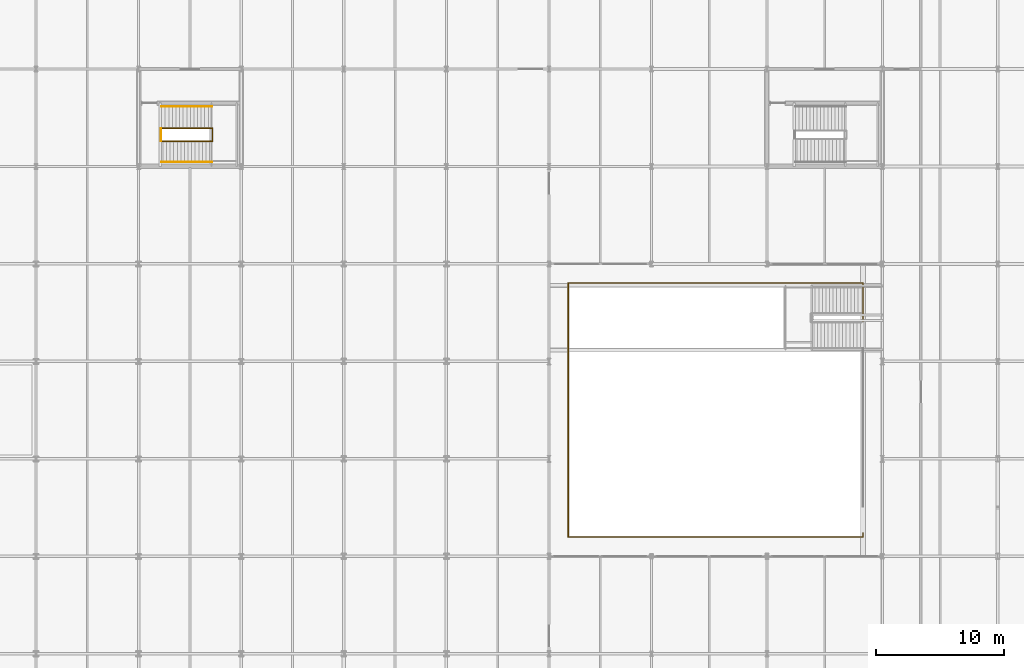
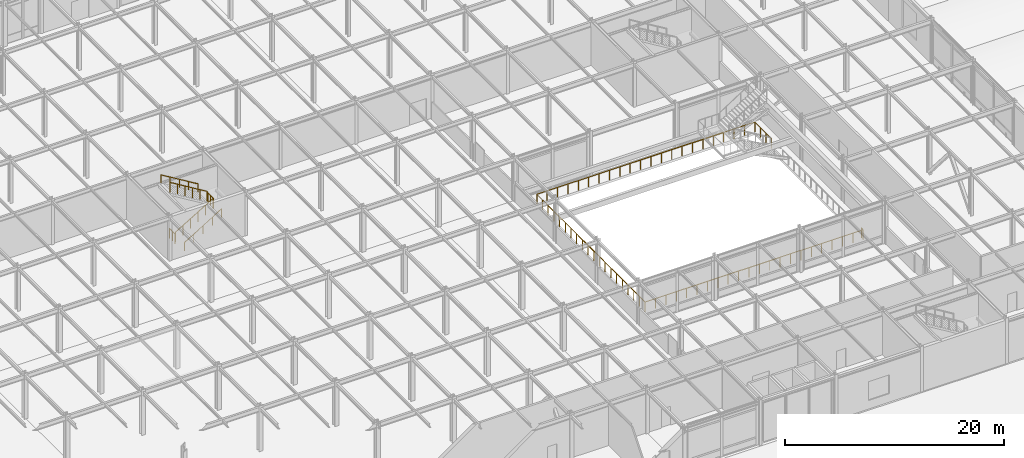
# One storey, part 110 of 113: 5 railings.
"""IFC4 building model written with IfcOpenShell, lengths in metres."""

from ifc_helpers import new_model, si_unit, direction, frame, origin, origin_2d, place, context, subcontext, project, spatial, circle, extrude, material, type_object, element, save


model = new_model("IFC4")

# Units and contexts
model_context = context("Model", 3, precision=1e-05, world=origin(), true_north=direction((0.0, 1.0)))
body_context = subcontext(model_context, "Body", "Model", "MODEL_VIEW")
ifc_project = project(units=[si_unit("LENGTHUNIT", "METRE"), si_unit("AREAUNIT", "SQUARE_METRE"), si_unit("VOLUMEUNIT", "CUBIC_METRE"), si_unit("PLANEANGLEUNIT", "RADIAN"), si_unit("MASSUNIT", "GRAM", prefix="KILO")], contexts=[model_context])

# Site, building, storey
site_placement = place(None, origin())
site = spatial("IfcSite", under=ifc_project, at=site_placement, CompositionType="ELEMENT")
building_placement = place(site_placement, origin())
building = spatial("IfcBuilding", under=site, at=building_placement, Name="Shalkamar Park Central Library", CompositionType="ELEMENT")
storey_placement = place(building_placement, frame((0.0, 0.0, 5.39990234375)))
storey = spatial("IfcBuildingStorey", under=building, at=storey_placement, Name="L02", CompositionType="ELEMENT", Elevation=5.39990234375)

# Railings
ifc_material = material(Name="Steel S355", Category="steel")
railing_type_1 = type_object("IfcRailingType", Name="Atrium Balustrade Guard 1100", PredefinedType="GUARDRAIL", material=ifc_material)
railing_1_placement = place(storey_placement, frame((253.5, 272.199951171875, 0.0)))
element("IfcRailing", 1, at=railing_1_placement, inside=storey, type_object=railing_type_1, Name="Atrium Void Balustrade L02 West-North-South", PredefinedType="GUARDRAIL", context=body_context, shape_type="SweptSolid", body=[
    extrude(circle(Radius=0.02392578125, at=origin_2d()), frame((0.0, 0.0, 1.076171875), z_axis=(0.0, -1.0, 0.0), x_axis=(1.0, 0.0, 0.0)), (0.0, 0.0, 1.0), 0.300048828125),
    extrude(circle(Radius=0.02392578125, at=origin_2d()), frame((0.0, -0.300048828125, 1.076171875), z_axis=(-1.0, 0.0, 0.0), x_axis=(0.0, -1.0, 0.0)), (0.0, 0.0, 1.0), 23.0),
    extrude(circle(Radius=0.02392578125, at=origin_2d()), frame((-23.0, -0.300048828125, 1.076171875), z_axis=(0.0, 1.0, 0.0), x_axis=(-1.0, 0.0, 0.0)), (0.0, 0.0, 1.0), 19.800048828125),
    extrude(circle(Radius=0.02392578125, at=origin_2d()), frame((-23.0, 19.5, 1.076171875), z_axis=(1.0, 0.0, 0.0), x_axis=(0.0, 1.0, 0.0)), (0.0, 0.0, 1.0), 23.0),
    extrude(circle(Radius=0.02392578125, at=origin_2d()), frame((0.0, 19.5, 1.076171875), z_axis=(0.0, -1.0, 0.0), x_axis=(1.0, 0.0, 0.0)), (0.0, 0.0, 1.0), 3.0),
    extrude(circle(Radius=0.02099609375, at=origin_2d()), origin(), (0.0, 0.0, 1.0), 1.052001953125),
    extrude(circle(Radius=0.02099609375, at=origin_2d()), frame((0.0, -0.300048828125, 0.0)), (0.0, 0.0, 1.0), 1.052001953125),
    extrude(circle(Radius=0.02099609375, at=origin_2d()), frame((-1.09521484375, -0.300048828125, 0.0)), (0.0, 0.0, 1.0), 1.052001953125),
    extrude(circle(Radius=0.02099609375, at=origin_2d()), frame((-2.1904296875, -0.300048828125, 0.0)), (0.0, 0.0, 1.0), 1.052001953125),
    extrude(circle(Radius=0.02099609375, at=origin_2d()), frame((-3.28564453125, -0.300048828125, 0.0)), (0.0, 0.0, 1.0), 1.052001953125),
    extrude(circle(Radius=0.02099609375, at=origin_2d()), frame((-4.380859375, -0.300048828125, 0.0)), (0.0, 0.0, 1.0), 1.052001953125),
    extrude(circle(Radius=0.02099609375, at=origin_2d()), frame((-5.47607421875, -0.300048828125, 0.0)), (0.0, 0.0, 1.0), 1.052001953125),
    extrude(circle(Radius=0.02099609375, at=origin_2d()), frame((-6.571533203125, -0.300048828125, 0.0)), (0.0, 0.0, 1.0), 1.052001953125),
    extrude(circle(Radius=0.02099609375, at=origin_2d()), frame((-7.666748046875, -0.300048828125, 0.0)), (0.0, 0.0, 1.0), 1.052001953125),
    extrude(circle(Radius=0.02099609375, at=origin_2d()), frame((-8.761962890625, -0.300048828125, 0.0)), (0.0, 0.0, 1.0), 1.052001953125),
    extrude(circle(Radius=0.02099609375, at=origin_2d()), frame((-9.857177734375, -0.300048828125, 0.0)), (0.0, 0.0, 1.0), 1.052001953125),
    extrude(circle(Radius=0.02099609375, at=origin_2d()), frame((-10.952392578125, -0.300048828125, 0.0)), (0.0, 0.0, 1.0), 1.052001953125),
    extrude(circle(Radius=0.02099609375, at=origin_2d()), frame((-12.047607421875, -0.300048828125, 0.0)), (0.0, 0.0, 1.0), 1.052001953125),
    extrude(circle(Radius=0.02099609375, at=origin_2d()), frame((-13.142822265625, -0.300048828125, 0.0)), (0.0, 0.0, 1.0), 1.052001953125),
    extrude(circle(Radius=0.02099609375, at=origin_2d()), frame((-14.238037109375, -0.300048828125, 0.0)), (0.0, 0.0, 1.0), 1.052001953125),
    extrude(circle(Radius=0.02099609375, at=origin_2d()), frame((-15.333251953125, -0.300048828125, 0.0)), (0.0, 0.0, 1.0), 1.052001953125),
    extrude(circle(Radius=0.02099609375, at=origin_2d()), frame((-16.428466796875, -0.300048828125, 0.0)), (0.0, 0.0, 1.0), 1.052001953125),
    extrude(circle(Radius=0.02099609375, at=origin_2d()), frame((-17.52392578125, -0.300048828125, 0.0)), (0.0, 0.0, 1.0), 1.052001953125),
    extrude(circle(Radius=0.02099609375, at=origin_2d()), frame((-18.619140625, -0.300048828125, 0.0)), (0.0, 0.0, 1.0), 1.052001953125),
    extrude(circle(Radius=0.02099609375, at=origin_2d()), frame((-19.71435546875, -0.300048828125, 0.0)), (0.0, 0.0, 1.0), 1.052001953125),
    extrude(circle(Radius=0.02099609375, at=origin_2d()), frame((-20.8095703125, -0.300048828125, 0.0)), (0.0, 0.0, 1.0), 1.052001953125),
    extrude(circle(Radius=0.02099609375, at=origin_2d()), frame((-21.90478515625, -0.300048828125, 0.0)), (0.0, 0.0, 1.0), 1.052001953125),
    extrude(circle(Radius=0.02099609375, at=origin_2d()), frame((-23.0, -0.300048828125, 0.0)), (0.0, 0.0, 1.0), 1.052001953125),
    extrude(circle(Radius=0.02099609375, at=origin_2d()), frame((-23.0, 0.741943359375, 0.0)), (0.0, 0.0, 1.0), 1.052001953125),
    extrude(circle(Radius=0.02099609375, at=origin_2d()), frame((-23.0, 1.7841796875, 0.0)), (0.0, 0.0, 1.0), 1.052001953125),
    extrude(circle(Radius=0.02099609375, at=origin_2d()), frame((-23.0, 2.826171875, 0.0)), (0.0, 0.0, 1.0), 1.052001953125),
    extrude(circle(Radius=0.02099609375, at=origin_2d()), frame((-23.0, 3.868408203125, 0.0)), (0.0, 0.0, 1.0), 1.052001953125),
    extrude(circle(Radius=0.02099609375, at=origin_2d()), frame((-23.0, 4.910400390625, 0.0)), (0.0, 0.0, 1.0), 1.052001953125),
    extrude(circle(Radius=0.02099609375, at=origin_2d()), frame((-23.0, 5.95263671875, 0.0)), (0.0, 0.0, 1.0), 1.052001953125),
    extrude(circle(Radius=0.02099609375, at=origin_2d()), frame((-23.0, 6.99462890625, 0.0)), (0.0, 0.0, 1.0), 1.052001953125),
    extrude(circle(Radius=0.02099609375, at=origin_2d()), frame((-23.0, 8.036865234375, 0.0)), (0.0, 0.0, 1.0), 1.052001953125),
    extrude(circle(Radius=0.02099609375, at=origin_2d()), frame((-23.0, 9.078857421875, 0.0)), (0.0, 0.0, 1.0), 1.052001953125),
    extrude(circle(Radius=0.02099609375, at=origin_2d()), frame((-23.0, 10.12109375, 0.0)), (0.0, 0.0, 1.0), 1.052001953125),
    extrude(circle(Radius=0.02099609375, at=origin_2d()), frame((-23.0, 11.1630859375, 0.0)), (0.0, 0.0, 1.0), 1.052001953125),
    extrude(circle(Radius=0.02099609375, at=origin_2d()), frame((-23.0, 12.205322265625, 0.0)), (0.0, 0.0, 1.0), 1.052001953125),
    extrude(circle(Radius=0.02099609375, at=origin_2d()), frame((-23.0, 13.247314453125, 0.0)), (0.0, 0.0, 1.0), 1.052001953125),
    extrude(circle(Radius=0.02099609375, at=origin_2d()), frame((-23.0, 14.28955078125, 0.0)), (0.0, 0.0, 1.0), 1.052001953125),
    extrude(circle(Radius=0.02099609375, at=origin_2d()), frame((-23.0, 15.33154296875, 0.0)), (0.0, 0.0, 1.0), 1.052001953125),
    extrude(circle(Radius=0.02099609375, at=origin_2d()), frame((-23.0, 16.373779296875, 0.0)), (0.0, 0.0, 1.0), 1.052001953125),
    extrude(circle(Radius=0.02099609375, at=origin_2d()), frame((-23.0, 17.415771484375, 0.0)), (0.0, 0.0, 1.0), 1.052001953125),
    extrude(circle(Radius=0.02099609375, at=origin_2d()), frame((-23.0, 18.4580078125, 0.0)), (0.0, 0.0, 1.0), 1.052001953125),
    extrude(circle(Radius=0.02099609375, at=origin_2d()), frame((-23.0, 19.5, 0.0)), (0.0, 0.0, 1.0), 1.052001953125),
    extrude(circle(Radius=0.02099609375, at=origin_2d()), frame((-21.90478515625, 19.5, 0.0)), (0.0, 0.0, 1.0), 1.052001953125),
    extrude(circle(Radius=0.02099609375, at=origin_2d()), frame((-20.8095703125, 19.5, 0.0)), (0.0, 0.0, 1.0), 1.052001953125),
    extrude(circle(Radius=0.02099609375, at=origin_2d()), frame((-19.71435546875, 19.5, 0.0)), (0.0, 0.0, 1.0), 1.052001953125),
    extrude(circle(Radius=0.02099609375, at=origin_2d()), frame((-18.619140625, 19.5, 0.0)), (0.0, 0.0, 1.0), 1.052001953125),
    extrude(circle(Radius=0.02099609375, at=origin_2d()), frame((-17.52392578125, 19.5, 0.0)), (0.0, 0.0, 1.0), 1.052001953125),
    extrude(circle(Radius=0.02099609375, at=origin_2d()), frame((-16.428466796875, 19.5, 0.0)), (0.0, 0.0, 1.0), 1.052001953125),
    extrude(circle(Radius=0.02099609375, at=origin_2d()), frame((-15.333251953125, 19.5, 0.0)), (0.0, 0.0, 1.0), 1.052001953125),
    extrude(circle(Radius=0.02099609375, at=origin_2d()), frame((-14.238037109375, 19.5, 0.0)), (0.0, 0.0, 1.0), 1.052001953125),
    extrude(circle(Radius=0.02099609375, at=origin_2d()), frame((-13.142822265625, 19.5, 0.0)), (0.0, 0.0, 1.0), 1.052001953125),
    extrude(circle(Radius=0.02099609375, at=origin_2d()), frame((-12.047607421875, 19.5, 0.0)), (0.0, 0.0, 1.0), 1.052001953125),
    extrude(circle(Radius=0.02099609375, at=origin_2d()), frame((-10.952392578125, 19.5, 0.0)), (0.0, 0.0, 1.0), 1.052001953125),
    extrude(circle(Radius=0.02099609375, at=origin_2d()), frame((-9.857177734375, 19.5, 0.0)), (0.0, 0.0, 1.0), 1.052001953125),
    extrude(circle(Radius=0.02099609375, at=origin_2d()), frame((-8.761962890625, 19.5, 0.0)), (0.0, 0.0, 1.0), 1.052001953125),
    extrude(circle(Radius=0.02099609375, at=origin_2d()), frame((-7.666748046875, 19.5, 0.0)), (0.0, 0.0, 1.0), 1.052001953125),
    extrude(circle(Radius=0.02099609375, at=origin_2d()), frame((-6.571533203125, 19.5, 0.0)), (0.0, 0.0, 1.0), 1.052001953125),
    extrude(circle(Radius=0.02099609375, at=origin_2d()), frame((-5.47607421875, 19.5, 0.0)), (0.0, 0.0, 1.0), 1.052001953125),
    extrude(circle(Radius=0.02099609375, at=origin_2d()), frame((-4.380859375, 19.5, 0.0)), (0.0, 0.0, 1.0), 1.052001953125),
    extrude(circle(Radius=0.02099609375, at=origin_2d()), frame((-3.28564453125, 19.5, 0.0)), (0.0, 0.0, 1.0), 1.052001953125),
    extrude(circle(Radius=0.02099609375, at=origin_2d()), frame((-2.1904296875, 19.5, 0.0)), (0.0, 0.0, 1.0), 1.052001953125),
    extrude(circle(Radius=0.02099609375, at=origin_2d()), frame((-1.09521484375, 19.5, 0.0)), (0.0, 0.0, 1.0), 1.052001953125),
    extrude(circle(Radius=0.02099609375, at=origin_2d()), frame((0.0, 19.5, 0.0)), (0.0, 0.0, 1.0), 1.052001953125),
    extrude(circle(Radius=0.02099609375, at=origin_2d()), frame((0.0, 18.5, 0.0)), (0.0, 0.0, 1.0), 1.052001953125),
    extrude(circle(Radius=0.02099609375, at=origin_2d()), frame((0.0, 17.5, 0.0)), (0.0, 0.0, 1.0), 1.052001953125),
    extrude(circle(Radius=0.02099609375, at=origin_2d()), frame((0.0, 16.5, 0.0)), (0.0, 0.0, 1.0), 1.052001953125),
])
railing_type_2 = type_object("IfcRailingType", Name="Stair Guardrail 1100", PredefinedType="GUARDRAIL", material=ifc_material)
railing_2_placement = place(storey_placement, frame((198.794921875, 302.764892578125, 0.170166015625)))
element("IfcRailing", 2, at=railing_2_placement, inside=storey, type_object=railing_type_2, Name="Stair Inner Well Guardrail ST-P7-L02", PredefinedType="GUARDRAIL", context=body_context, shape_type="SweptSolid", body=[
    extrude(circle(Radius=0.02392578125, at=origin_2d()), frame((0.0, 0.0, 1.076171875), z_axis=(0.854808600491, 0.0, 0.518943403973), x_axis=(0.0, 1.0, 0.0)), (0.0, 0.0, 1.0), 4.5859375),
    extrude(circle(Radius=0.02392578125, at=origin_2d()), frame((3.920166015625, 0.0, 3.4560546875), z_axis=(1.0, 0.0, 0.0), x_axis=(0.0, 1.0, 0.0)), (0.0, 0.0, 1.0), 0.059814453125),
    extrude(circle(Radius=0.02392578125, at=origin_2d()), frame((3.97998046875, 0.0, 3.4560546875), z_axis=(0.0, 1.0, 0.0), x_axis=(-1.0, 0.0, 0.0)), (0.0, 0.0, 1.0), 1.02001953125),
    extrude(circle(Radius=0.02392578125, at=origin_2d()), frame((3.97998046875, 1.02001953125, 3.4560546875), z_axis=(-0.331616241061, 0.0, 0.943414367425), x_axis=(0.0, -1.0, 0.0)), (0.0, 0.0, 1.0), 0.180419921875),
    extrude(circle(Radius=0.02392578125, at=origin_2d()), frame((3.920166015625, 1.02001953125, 3.6259765625), z_axis=(-0.854808600491, 0.0, 0.518943403973), x_axis=(0.0, -1.0, 0.0)), (0.0, 0.0, 1.0), 4.5859375),
    extrude(circle(Radius=0.02099609375, at=origin_2d()), origin(), (0.0, 0.0, 1.0), 1.052001953125),
    extrude(circle(Radius=0.02099609375, at=origin_2d()), frame((0.783935546875, 0.0, 0.47607421875)), (0.0, 0.0, 1.0), 1.052001953125),
    extrude(circle(Radius=0.02099609375, at=origin_2d()), frame((1.568115234375, 0.0, 0.951904296875)), (0.0, 0.0, 1.0), 1.052001953125),
    extrude(circle(Radius=0.02099609375, at=origin_2d()), frame((2.35205078125, 0.0, 1.427978515625)), (0.0, 0.0, 1.0), 1.052001953125),
    extrude(circle(Radius=0.02099609375, at=origin_2d()), frame((3.13623046875, 0.0, 1.90380859375)), (0.0, 0.0, 1.0), 1.052001953125),
    extrude(circle(Radius=0.02099609375, at=origin_2d()), frame((3.920166015625, 0.0, 2.3798828125)), (0.0, 0.0, 1.0), 1.052001953125),
    extrude(circle(Radius=0.02099609375, at=origin_2d()), frame((3.97998046875, 0.0, 2.3798828125)), (0.0, 0.0, 1.0), 1.052001953125),
    extrude(circle(Radius=0.02099609375, at=origin_2d()), frame((3.97998046875, 0.510009765625, 2.3798828125)), (0.0, 0.0, 1.0), 1.052001953125),
    extrude(circle(Radius=0.02099609375, at=origin_2d()), frame((3.97998046875, 1.02001953125, 2.3798828125)), (0.0, 0.0, 1.0), 1.052001953125),
    extrude(circle(Radius=0.02099609375, at=origin_2d()), frame((3.920166015625, 1.02001953125, 2.550048828125)), (0.0, 0.0, 1.0), 1.052001953125),
    extrude(circle(Radius=0.02099609375, at=origin_2d()), frame((3.13623046875, 1.02001953125, 3.026123046875)), (0.0, 0.0, 1.0), 1.052001953125),
    extrude(circle(Radius=0.02099609375, at=origin_2d()), frame((2.35205078125, 1.02001953125, 3.501953125)), (0.0, 0.0, 1.0), 1.052001953125),
    extrude(circle(Radius=0.02099609375, at=origin_2d()), frame((1.568115234375, 1.02001953125, 3.97802734375)), (0.0, 0.0, 1.0), 1.052001953125),
    extrude(circle(Radius=0.02099609375, at=origin_2d()), frame((0.783935546875, 1.02001953125, 4.453857421875)), (0.0, 0.0, 1.0), 1.052001953125),
    extrude(circle(Radius=0.02099609375, at=origin_2d()), frame((0.0, 1.02001953125, 4.929931640625)), (0.0, 0.0, 1.0), 1.052001953125),
])
railing_3_placement = place(storey_placement, frame((198.735107421875, 302.77490234375, 0.0)))
element("IfcRailing", 3, at=railing_3_placement, inside=storey, type_object=railing_type_2, Name="Stair Arrival Well Guardrail ST-P7 (L02)", PredefinedType="GUARDRAIL", context=body_context, shape_type="SweptSolid", body=[
    extrude(circle(Radius=0.02392578125, at=origin_2d()), frame((0.0, 0.0, 1.076171875), z_axis=(0.0, 1.0, 0.0), x_axis=(-1.0, 0.0, 0.0)), (0.0, 0.0, 1.0), 1.0),
    extrude(circle(Radius=0.02099609375, at=origin_2d()), origin(), (0.0, 0.0, 1.0), 1.052001953125),
    extrude(circle(Radius=0.02099609375, at=origin_2d()), frame((0.0, 0.5, 0.0)), (0.0, 0.0, 1.0), 1.052001953125),
    extrude(circle(Radius=0.02099609375, at=origin_2d()), frame((0.0, 1.0, 0.0)), (0.0, 0.0, 1.0), 1.052001953125),
])
railing_type_3 = type_object("IfcRailingType", Name="Stair Pitched Handrail 920", PredefinedType="HANDRAIL", material=ifc_material)
railing_4_placement = place(storey_placement, frame((198.794921875, 301.155029296875, 0.170166015625)))
element("IfcRailing", 4, at=railing_4_placement, inside=storey, type_object=railing_type_3, Name="Stair Wall Handrail ST-P7-L02 Flight 1", PredefinedType="HANDRAIL", context=body_context, shape_type="SweptSolid", body=[
    extrude(circle(Radius=0.02392578125, at=origin_2d()), frame((0.0, 0.0, 0.89599609375), z_axis=(0.854808600491, 0.0, 0.518943403973), x_axis=(0.0, 1.0, 0.0)), (0.0, 0.0, 1.0), 4.5859375),
    extrude(circle(Radius=0.02099609375, at=origin_2d()), origin(), (0.0, 0.0, 1.0), 0.871826171875),
    extrude(circle(Radius=0.02099609375, at=origin_2d()), frame((0.97998046875, 0.0, 0.594970703125)), (0.0, 0.0, 1.0), 0.871826171875),
    extrude(circle(Radius=0.02099609375, at=origin_2d()), frame((1.9599609375, 0.0, 1.18994140625)), (0.0, 0.0, 1.0), 0.871826171875),
    extrude(circle(Radius=0.02099609375, at=origin_2d()), frame((2.940185546875, 0.0, 1.784912109375)), (0.0, 0.0, 1.0), 0.871826171875),
    extrude(circle(Radius=0.02099609375, at=origin_2d()), frame((3.920166015625, 0.0, 2.3798828125)), (0.0, 0.0, 1.0), 0.871826171875),
])
railing_5_placement = place(storey_placement, frame((202.715087890625, 305.47509765625, 2.72021484375)))
element("IfcRailing", 5, at=railing_5_placement, inside=storey, type_object=railing_type_3, Name="Stair Wall Handrail ST-P7-L02 Flight 2", PredefinedType="HANDRAIL", context=body_context, shape_type="SweptSolid", body=[
    extrude(circle(Radius=0.02392578125, at=origin_2d()), frame((0.0, 0.0, 0.89599609375), z_axis=(-0.854808600491, 0.0, 0.518943403973), x_axis=(0.0, -1.0, 0.0)), (0.0, 0.0, 1.0), 4.5859375),
    extrude(circle(Radius=0.02099609375, at=origin_2d()), origin(), (0.0, 0.0, 1.0), 0.871826171875),
    extrude(circle(Radius=0.02099609375, at=origin_2d()), frame((-0.97998046875, 0.0, 0.594970703125)), (0.0, 0.0, 1.0), 0.871826171875),
    extrude(circle(Radius=0.02099609375, at=origin_2d()), frame((-1.9599609375, 0.0, 1.18994140625)), (0.0, 0.0, 1.0), 0.871826171875),
    extrude(circle(Radius=0.02099609375, at=origin_2d()), frame((-2.940185546875, 0.0, 1.784912109375)), (0.0, 0.0, 1.0), 0.871826171875),
    extrude(circle(Radius=0.02099609375, at=origin_2d()), frame((-3.920166015625, 0.0, 2.3798828125)), (0.0, 0.0, 1.0), 0.871826171875),
])

save(model, "model.ifc")
